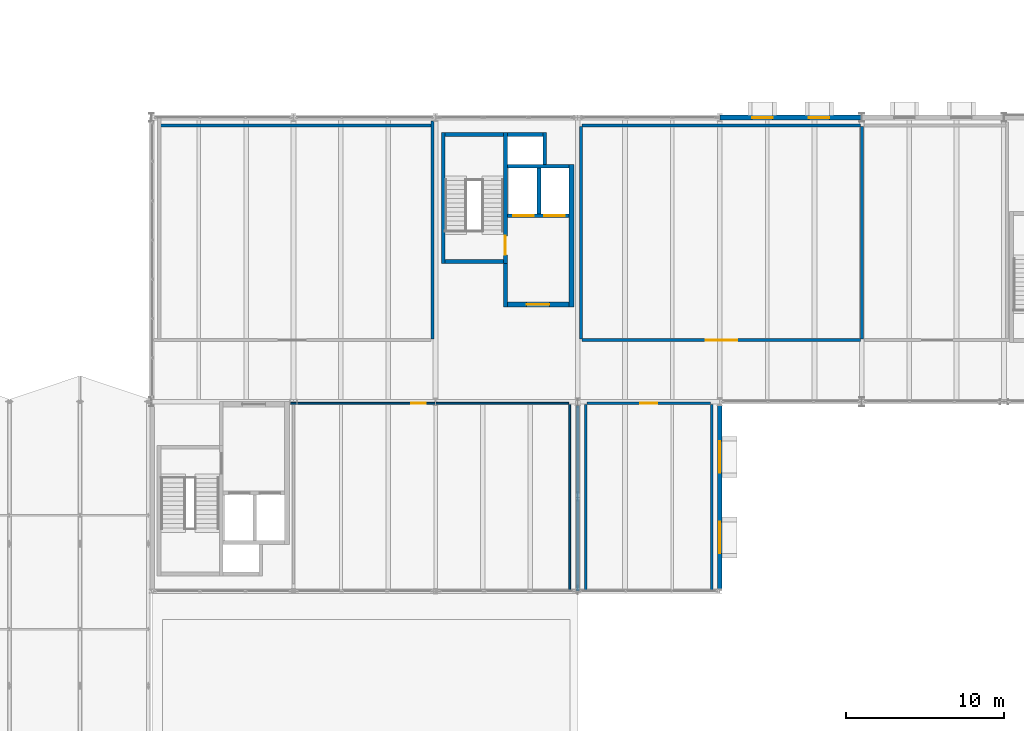
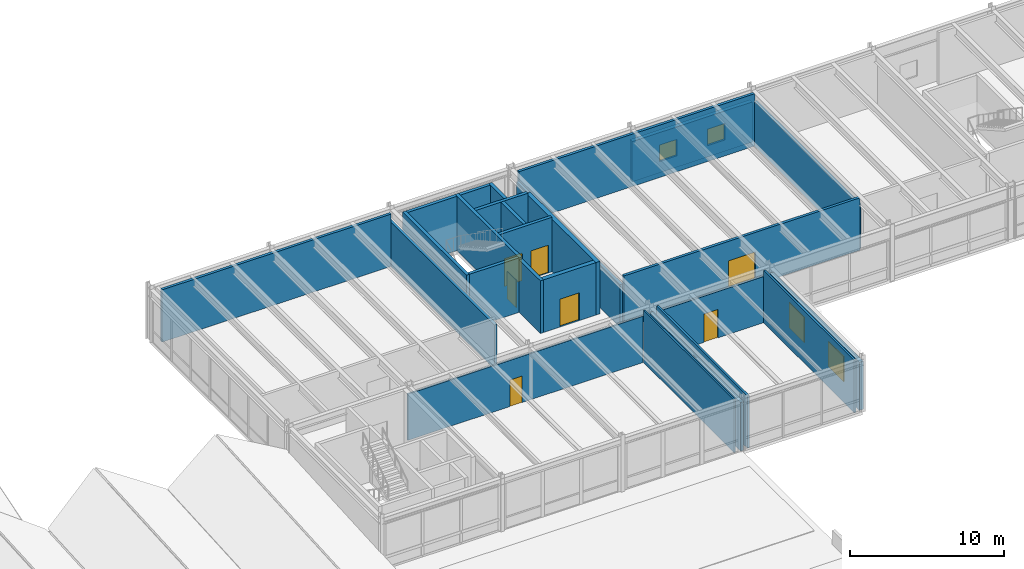
# One storey, part 136 of 142: 26 walls, 7 doors, 4 windows, 11 openings.
"""IFC4 building model written with IfcOpenShell, lengths in metres."""

from ifc_helpers import new_model, si_unit, direction, frame, frame_2d, origin, place, context, subcontext, project, spatial, rectangle, extrude, material, layer, layer_set, type_object, element, fill, save


model = new_model("IFC4")

# Units and contexts
model_context = context("Model", 3, precision=1e-05, world=origin(), true_north=direction((0.0, 1.0)))
body_context = subcontext(model_context, "Body", "Model", "MODEL_VIEW")
ifc_project = project(units=[si_unit("LENGTHUNIT", "METRE"), si_unit("AREAUNIT", "SQUARE_METRE"), si_unit("VOLUMEUNIT", "CUBIC_METRE"), si_unit("PLANEANGLEUNIT", "RADIAN"), si_unit("MASSUNIT", "GRAM", prefix="KILO")], contexts=[model_context])

# Site, building, storey
site_placement = place(None, origin())
site = spatial("IfcSite", under=ifc_project, at=site_placement, CompositionType="ELEMENT")
building_placement = place(site_placement, origin())
building = spatial("IfcBuilding", under=site, at=building_placement, Name="Montelvaro Courts of Justice", CompositionType="ELEMENT")
storey_placement = place(building_placement, frame((0.0, 0.0, 14.39990234375)))
storey = spatial("IfcBuildingStorey", under=building, at=storey_placement, Name="L03", CompositionType="ELEMENT", Elevation=14.39990234375)

# Wall
ifc_material_1 = material(Name="Gypsum board on metal stud")
ifc_layer_1 = layer(ifc_material_1, 0.14990234375)
ifc_layer_set_1 = layer_set([ifc_layer_1], Name="Gypsum board on metal stud")
wall_type_1 = type_object("IfcWallType", Name="ChambersPartition_150", PredefinedType="PARTITIONING", material=ifc_layer_set_1)
wall_1_placement = place(storey_placement, frame((126.5, 66.074951171875, 0.0), z_axis=(0.0, 0.0, 1.0), x_axis=(0.0, 1.0, 0.0)))
element("IfcWall", 1, at=wall_1_placement, inside=storey, type_object=wall_type_1, Name="Interior Partition IW-04 (L03)", PredefinedType="PARTITIONING", context=body_context, shape_type="SweptSolid", body=[
    extrude(rectangle(XDim=11.7451171875, YDim=0.14990234375, at=frame_2d((5.87255859375, 0.0))), origin(), (0.0, 0.0, 1.0), 4.14013671875),
])

# Wall, opening, door
wall_2_placement = place(storey_placement, frame((126.580078125, 77.89990234375, 0.0), z_axis=(0.0, 0.0, 1.0), x_axis=(1.0, 0.0, 0.0)))
wall_2 = element("IfcWall", 2, at=wall_2_placement, inside=storey, type_object=wall_type_1, Name="Interior Partition IW-04 (L03)", PredefinedType="PARTITIONING", context=body_context, shape_type="SweptSolid", body=[
    extrude(rectangle(XDim=7.83984375, YDim=0.14990234375, at=frame_2d((3.919921875, 0.0))), origin(), (0.0, 0.0, 1.0), 3.655029296875),
])
opening_1_placement = place(wall_2_placement, frame((3.39501953125, 0.0, 0.0)))
opening_1 = element("IfcOpeningElement", 3, at=opening_1_placement, cuts=wall_2, Name="Opening D-L03-113", PredefinedType="OPENING", context=body_context, shape_type="SweptSolid", body=[
    extrude(rectangle(XDim=1.050048828125, YDim=2.25, at=frame_2d((0.52490234375, 1.125))), frame((0.0, 0.08984375, 0.0), z_axis=(0.0, -1.0, 0.0), x_axis=(1.0, 0.0, 0.0)), (0.0, 0.0, 1.0), 0.1796875),
])
ifc_material_2 = material(Name="Acoustic oak timber veneer", Category="wood")
door_type_1 = type_object("IfcDoorType", Name="ChamberDoor_105x225", OperationType="NOTDEFINED", PredefinedType="DOOR", material=ifc_material_2)
door_1_placement = place(opening_1_placement, frame((1.050048828125, 0.0, 0.0), z_axis=(0.0, 0.0, 1.0), x_axis=(-1.0, 0.0, 0.0)))
door_1 = element("IfcDoor", 4, at=door_1_placement, inside=storey, type_object=door_type_1, Name="Interior Door D-L03-113 (Juvenile Guardian Consultation Suite L03)", OperationType="SINGLE_SWING_LEFT", OverallHeight=2.25, OverallWidth=1.050048828125, PredefinedType="DOOR", context=body_context, shape_type="SweptSolid", body=[
    extrude(rectangle(XDim=1.050048828125, YDim=2.25, at=frame_2d((0.52490234375, 1.125))), frame((0.0, 0.02490234375, 0.0), z_axis=(0.0, -1.0, 0.0), x_axis=(1.0, 0.0, 0.0)), (0.0, 0.0, 1.0), 0.050048828125),
])
fill(opening_1, door_1)

# Wall
wall_3_placement = place(storey_placement, frame((134.5, 77.820068359375, 0.0), z_axis=(0.0, 0.0, 1.0), x_axis=(0.0, -1.0, 0.0)))
element("IfcWall", 5, at=wall_3_placement, inside=storey, type_object=wall_type_1, Name="Interior Partition IW-04 (L03)", PredefinedType="PARTITIONING", context=body_context, shape_type="SweptSolid", body=[
    extrude(rectangle(XDim=11.7451171875, YDim=0.14990234375, at=frame_2d((5.87255859375, 0.0))), origin(), (0.0, 0.0, 1.0), 4.14013671875),
])

# Wall, opening, door
ifc_material_3 = material(Name="Concrete C40/50", Category="concrete")
ifc_layer_2 = layer(ifc_material_3, 0.320068359375)
ifc_layer_set_2 = layer_set([ifc_layer_2], Name="Concrete C40/50")
wall_type_2 = type_object("IfcWallType", Name="CoreWall_320", PredefinedType="SHEAR", material=ifc_layer_set_2)
wall_4_placement = place(storey_placement, frame((121.5400390625, 84.159912109375, 0.0), z_axis=(0.0, 0.0, 1.0), x_axis=(1.0, 0.0, 0.0)))
wall_4 = element("IfcWall", 6, at=wall_4_placement, inside=storey, type_object=wall_type_2, Name="Core Shear Wall CW-02 K3-S (L03)", PredefinedType="SHEAR", context=body_context, shape_type="SweptSolid", body=[
    extrude(rectangle(XDim=3.89990234375, YDim=0.320068359375, at=frame_2d((1.949951171875, 0.0))), origin(), (0.0, 0.0, 1.0), 4.16015625),
])
opening_2_placement = place(wall_4_placement, frame((1.22509765625, 0.0, 0.0)))
opening_2 = element("IfcOpeningElement", 7, at=opening_2_placement, cuts=wall_4, Name="Opening DL-L03-K3", PredefinedType="OPENING", context=body_context, shape_type="SweptSolid", body=[
    extrude(rectangle(XDim=1.449951171875, YDim=2.199951171875, at=frame_2d((0.72509765625, 1.10009765625))), frame((0.0, 0.1748046875, 0.0), z_axis=(0.0, -1.0, 0.0), x_axis=(1.0, 0.0, 0.0)), (0.0, 0.0, 1.0), 0.349853515625),
])
ifc_material_4 = material(Name="Galvanised steel S355 security door", Category="steel")
door_type_2 = type_object("IfcDoorType", Name="LobbyFireDoor_145x220", OperationType="DOUBLE_DOOR_SINGLE_SWING", PredefinedType="DOOR", material=ifc_material_4)
door_2_placement = place(opening_2_placement, origin())
door_2 = element("IfcDoor", 8, at=door_2_placement, inside=storey, type_object=door_type_2, Name="Core Lobby Fire Door DL-L03-K3", OperationType="DOUBLE_DOOR_SINGLE_SWING", OverallHeight=2.199951171875, OverallWidth=1.449951171875, PredefinedType="DOOR", context=body_context, shape_type="SweptSolid", body=[
    extrude(rectangle(XDim=1.449951171875, YDim=2.199951171875, at=frame_2d((0.72509765625, 1.10009765625))), frame((0.0, 0.02490234375, 0.0), z_axis=(0.0, -1.0, 0.0), x_axis=(1.0, 0.0, 0.0)), (0.0, 0.0, 1.0), 0.050048828125),
])
fill(opening_2, door_2)

# Walls
wall_5_placement = place(storey_placement, frame((125.60009765625, 84.0, 0.0), z_axis=(0.0, 0.0, 1.0), x_axis=(0.0, 1.0, 0.0)))
element("IfcWall", 9, at=wall_5_placement, inside=storey, type_object=wall_type_2, Name="Core Shear Wall CW-02 K3-E (L03)", PredefinedType="SHEAR", context=body_context, shape_type="SweptSolid", body=[
    extrude(rectangle(XDim=9.0400390625, YDim=0.320068359375, at=frame_2d((4.52001953125, 0.0))), origin(), (0.0, 0.0, 1.0), 4.16015625),
])
ifc_material_5 = material(Name="Gypsum acoustic double stud with mineral wool")
ifc_layer_3 = layer(ifc_material_5, 0.199951171875)
ifc_layer_set_3 = layer_set([ifc_layer_3], Name="Gypsum acoustic double stud with mineral wool")
wall_type_3 = type_object("IfcWallType", Name="CourtAcousticWall_200", PredefinedType="PARTITIONING", material=ifc_layer_set_3)
wall_6_placement = place(storey_placement, frame((99.580078125, 95.5, 0.0), z_axis=(0.0, 0.0, 1.0), x_axis=(1.0, 0.0, 0.0)))
element("IfcWall", 10, at=wall_6_placement, inside=storey, type_object=wall_type_3, Name="Interior Partition IW-01 (L03)", PredefinedType="PARTITIONING", context=body_context, shape_type="SweptSolid", body=[
    extrude(rectangle(XDim=17.139892578125, YDim=0.199951171875, at=frame_2d((8.56982421875, 0.0))), origin(), (0.0, 0.0, 1.0), 4.14013671875),
])
wall_7_placement = place(storey_placement, frame((116.800048828125, 95.777099609375, 0.0), z_axis=(0.0, 0.0, 1.0), x_axis=(0.0, -1.0, 0.0)))
element("IfcWall", 11, at=wall_7_placement, inside=storey, type_object=wall_type_3, Name="Interior Partition IW-01 (L03)", PredefinedType="PARTITIONING", context=body_context, shape_type="SweptSolid", body=[
    extrude(rectangle(XDim=13.797119140625, YDim=0.199951171875, at=frame_2d((6.8984375, 0.0))), origin(), (0.0, 0.0, 1.0), 3.505126953125),
])
wall_8_placement = place(storey_placement, frame((126.199951171875, 81.97998046875, 0.0), z_axis=(0.0, 0.0, 1.0), x_axis=(0.0, 1.0, 0.0)))
element("IfcWall", 12, at=wall_8_placement, inside=storey, type_object=wall_type_3, Name="Interior Partition IW-01 (L03)", PredefinedType="PARTITIONING", context=body_context, shape_type="SweptSolid", body=[
    extrude(rectangle(XDim=13.43994140625, YDim=0.199951171875, at=frame_2d((6.719970703125, 0.0))), origin(), (0.0, 0.0, 1.0), 3.405029296875),
])
wall_9_placement = place(storey_placement, frame((126.280029296875, 95.5, 0.0), z_axis=(0.0, 0.0, 1.0), x_axis=(1.0, 0.0, 0.0)))
element("IfcWall", 13, at=wall_9_placement, inside=storey, type_object=wall_type_3, Name="Interior Partition IW-01 (L03)", PredefinedType="PARTITIONING", context=body_context, shape_type="SweptSolid", body=[
    extrude(rectangle(XDim=17.639892578125, YDim=0.199951171875, at=frame_2d((8.81982421875, 0.0))), origin(), (0.0, 0.0, 1.0), 4.14013671875),
])
wall_10_placement = place(storey_placement, frame((144.0, 95.419921875, 0.0), z_axis=(0.0, 0.0, 1.0), x_axis=(0.0, -1.0, 0.0)))
element("IfcWall", 14, at=wall_10_placement, inside=storey, type_object=wall_type_3, Name="Interior Partition IW-01 (L03)", PredefinedType="PARTITIONING", context=body_context, shape_type="SweptSolid", body=[
    extrude(rectangle(XDim=13.43994140625, YDim=0.199951171875, at=frame_2d((6.719970703125, 0.0))), origin(), (0.0, 0.0, 1.0), 3.545166015625),
])

# Wall, opening, door
wall_11_placement = place(storey_placement, frame((143.919921875, 81.89990234375, 0.0), z_axis=(0.0, 0.0, 1.0), x_axis=(-1.0, 0.0, 0.0)))
wall_11 = element("IfcWall", 15, at=wall_11_placement, inside=storey, type_object=wall_type_3, Name="Interior Partition IW-01 (L03)", PredefinedType="PARTITIONING", context=body_context, shape_type="SweptSolid", body=[
    extrude(rectangle(XDim=17.639892578125, YDim=0.199951171875, at=frame_2d((8.81982421875, 0.0))), origin(), (0.0, 0.0, 1.0), 4.14013671875),
])
opening_3_placement = place(wall_11_placement, frame((7.820068359375, 0.0, 0.0)))
opening_3 = element("IfcOpeningElement", 16, at=opening_3_placement, cuts=wall_11, Name="Opening D-L03-110", PredefinedType="OPENING", context=body_context, shape_type="SweptSolid", body=[
    extrude(rectangle(XDim=2.0, YDim=2.60009765625, at=frame_2d((1.0, 1.300048828125))), frame((0.0, 0.11474609375, 0.0), z_axis=(0.0, -1.0, 0.0), x_axis=(1.0, 0.0, 0.0)), (0.0, 0.0, 1.0), 0.229736328125),
])
door_type_3 = type_object("IfcDoorType", Name="CourtDoor_200x260", OperationType="DOUBLE_DOOR_SINGLE_SWING", PredefinedType="DOOR", material=ifc_material_2)
door_3_placement = place(opening_3_placement, origin())
door_3 = element("IfcDoor", 17, at=door_3_placement, inside=storey, type_object=door_type_3, Name="Interior Door D-L03-110 (Juvenile Courtroom 13)", OperationType="DOUBLE_DOOR_SINGLE_SWING", OverallHeight=2.60009765625, OverallWidth=2.0, PredefinedType="DOOR", context=body_context, shape_type="SweptSolid", body=[
    extrude(rectangle(XDim=2.0, YDim=2.60009765625, at=frame_2d((1.0, 1.300048828125))), frame((0.0, 0.02490234375, 0.0), z_axis=(0.0, -1.0, 0.0), x_axis=(1.0, 0.0, 0.0)), (0.0, 0.0, 1.0), 0.050048828125),
])
fill(opening_3, door_3)

# Wall, openings, windows
ifc_material_6 = material(Name="White mineral precast concrete C45/55", Category="concrete")
ifc_layer_4 = layer(ifc_material_6, 0.300048828125)
ifc_layer_set_4 = layer_set([ifc_layer_4], Name="White mineral precast concrete C45/55")
wall_type_4 = type_object("IfcWallType", Name="ExtWall_GFRC_300", PredefinedType="SOLIDWALL", material=ifc_layer_set_4)
wall_12_placement = place(storey_placement, frame((135.0, 66.137939453125, 0.0), z_axis=(0.0, 0.0, 1.0), x_axis=(0.0, 1.0, 0.0)))
wall_12 = element("IfcWall", 18, at=wall_12_placement, inside=storey, type_object=wall_type_4, Name="Exterior Facade Wall EW-02 (L03)", PredefinedType="SOLIDWALL", context=body_context, shape_type="SweptSolid", body=[
    extrude(rectangle(XDim=11.614013671875, YDim=0.300048828125, at=frame_2d((5.80712890625, 0.0))), origin(), (0.0, 0.0, 1.0), 3.80517578125),
])
opening_4_placement = place(wall_12_placement, frame((2.251953125, 0.0, 0.85009765625)))
opening_4 = element("IfcOpeningElement", 19, at=opening_4_placement, cuts=wall_12, Name="Opening WE-11", PredefinedType="OPENING", context=body_context, shape_type="SweptSolid", body=[
    extrude(rectangle(XDim=2.0, YDim=2.0, at=frame_2d((1.0, 1.0))), frame((0.0, 0.1650390625, 0.0), z_axis=(0.0, -1.0, 0.0), x_axis=(1.0, 0.0, 0.0)), (0.0, 0.0, 1.0), 0.329833984375),
])
opening_5_placement = place(wall_12_placement, frame((7.362060546875, 0.0, 0.85009765625)))
opening_5 = element("IfcOpeningElement", 20, at=opening_5_placement, cuts=wall_12, Name="Opening WE-11", PredefinedType="OPENING", context=body_context, shape_type="SweptSolid", body=[
    extrude(rectangle(XDim=2.0, YDim=2.0, at=frame_2d((1.0, 1.0))), frame((0.0, 0.1650390625, 0.0), z_axis=(0.0, -1.0, 0.0), x_axis=(1.0, 0.0, 0.0)), (0.0, 0.0, 1.0), 0.329833984375),
])
ifc_material_7 = material(Name="Low-E solar control double glazing", Category="glass")
window_type_1 = type_object("IfcWindowType", Name="Win_Sq_200x200", PartitioningType="SINGLE_PANEL", PredefinedType="WINDOW", material=ifc_material_7)
window_1_placement = place(opening_4_placement, origin())
window_1 = element("IfcWindow", 21, at=window_1_placement, inside=storey, type_object=window_type_1, Name="Window W-L03-137", OverallHeight=2.0, OverallWidth=2.0, PartitioningType="SINGLE_PANEL", PredefinedType="WINDOW", context=body_context, shape_type="SweptSolid", body=[
    extrude(rectangle(XDim=2.0, YDim=2.0, at=frame_2d((1.0, 1.0))), frame((0.0, 0.030029296875, 0.0), z_axis=(0.0, -1.0, 0.0), x_axis=(1.0, 0.0, 0.0)), (0.0, 0.0, 1.0), 0.06005859375),
])
fill(opening_4, window_1)
window_2_placement = place(opening_5_placement, origin())
window_2 = element("IfcWindow", 22, at=window_2_placement, inside=storey, type_object=window_type_1, Name="Window W-L03-138", OverallHeight=2.0, OverallWidth=2.0, PartitioningType="SINGLE_PANEL", PredefinedType="WINDOW", context=body_context, shape_type="SweptSolid", body=[
    extrude(rectangle(XDim=2.0, YDim=2.0, at=frame_2d((1.0, 1.0))), frame((0.0, 0.030029296875, 0.0), z_axis=(0.0, -1.0, 0.0), x_axis=(1.0, 0.0, 0.0)), (0.0, 0.0, 1.0), 0.06005859375),
])
fill(opening_5, window_2)

wall_13_placement = place(storey_placement, frame((143.991943359375, 96.0, 0.0), z_axis=(0.0, 0.0, 1.0), x_axis=(-1.0, 0.0, 0.0)))
wall_13 = element("IfcWall", 23, at=wall_13_placement, inside=storey, type_object=wall_type_4, Name="Exterior Facade Wall EW-02 (L03)", PredefinedType="SOLIDWALL", context=body_context, shape_type="SweptSolid", body=[
    extrude(rectangle(XDim=8.98388671875, YDim=0.300048828125, at=frame_2d((4.491943359375, 0.0))), origin(), (0.0, 0.0, 1.0), 3.18701171875),
])
opening_6_placement = place(wall_13_placement, frame((2.044921875, 0.0, 0.89990234375)))
opening_6 = element("IfcOpeningElement", 24, at=opening_6_placement, cuts=wall_13, Name="Opening WE-18", PredefinedType="OPENING", context=body_context, shape_type="SweptSolid", body=[
    extrude(rectangle(XDim=1.300048828125, YDim=1.300048828125, at=frame_2d((0.64990234375, 0.64990234375))), frame((0.0, 0.1650390625, 0.0), z_axis=(0.0, -1.0, 0.0), x_axis=(1.0, 0.0, 0.0)), (0.0, 0.0, 1.0), 0.329833984375),
])
opening_7_placement = place(wall_13_placement, frame((5.638916015625, 0.0, 0.89990234375)))
opening_7 = element("IfcOpeningElement", 25, at=opening_7_placement, cuts=wall_13, Name="Opening WE-18", PredefinedType="OPENING", context=body_context, shape_type="SweptSolid", body=[
    extrude(rectangle(XDim=1.300048828125, YDim=1.300048828125, at=frame_2d((0.64990234375, 0.64990234375))), frame((0.0, 0.1650390625, 0.0), z_axis=(0.0, -1.0, 0.0), x_axis=(1.0, 0.0, 0.0)), (0.0, 0.0, 1.0), 0.329833984375),
])
window_type_2 = type_object("IfcWindowType", Name="Win_Sq_130x130", PartitioningType="SINGLE_PANEL", PredefinedType="WINDOW", material=ifc_material_7)
window_3_placement = place(opening_6_placement, origin())
window_3 = element("IfcWindow", 26, at=window_3_placement, inside=storey, type_object=window_type_2, Name="Window W-L03-145", OverallHeight=1.300048828125, OverallWidth=1.300048828125, PartitioningType="SINGLE_PANEL", PredefinedType="WINDOW", context=body_context, shape_type="SweptSolid", body=[
    extrude(rectangle(XDim=1.300048828125, YDim=1.300048828125, at=frame_2d((0.64990234375, 0.64990234375))), frame((0.0, 0.030029296875, 0.0), z_axis=(0.0, -1.0, 0.0), x_axis=(1.0, 0.0, 0.0)), (0.0, 0.0, 1.0), 0.06005859375),
])
fill(opening_6, window_3)
window_4_placement = place(opening_7_placement, origin())
window_4 = element("IfcWindow", 27, at=window_4_placement, inside=storey, type_object=window_type_2, Name="Window W-L03-146", OverallHeight=1.300048828125, OverallWidth=1.300048828125, PartitioningType="SINGLE_PANEL", PredefinedType="WINDOW", context=body_context, shape_type="SweptSolid", body=[
    extrude(rectangle(XDim=1.300048828125, YDim=1.300048828125, at=frame_2d((0.64990234375, 0.64990234375))), frame((0.0, 0.030029296875, 0.0), z_axis=(0.0, -1.0, 0.0), x_axis=(1.0, 0.0, 0.0)), (0.0, 0.0, 1.0), 0.06005859375),
])
fill(opening_7, window_4)

# Wall, opening, door
ifc_layer_5 = layer(ifc_material_1, 0.1201171875)
ifc_layer_set_5 = layer_set([ifc_layer_5], Name="Gypsum board on metal stud")
wall_type_5 = type_object("IfcWallType", Name="OfficePartition_120", PredefinedType="PARTITIONING", material=ifc_layer_set_5)
wall_14_placement = place(storey_placement, frame((107.822998046875, 77.89990234375, 0.0), z_axis=(0.0, 0.0, 1.0), x_axis=(1.0, 0.0, 0.0)))
wall_14 = element("IfcWall", 28, at=wall_14_placement, inside=storey, type_object=wall_type_5, Name="Interior Partition IW-05 (L03)", PredefinedType="PARTITIONING", context=body_context, shape_type="SweptSolid", body=[
    extrude(rectangle(XDim=17.596923828125, YDim=0.1201171875, at=frame_2d((8.79833984375, 0.0))), origin(), (0.0, 0.0, 1.0), 3.655029296875),
])
opening_8_placement = place(wall_14_placement, frame((7.64501953125, 0.0, 0.0)))
opening_8 = element("IfcOpeningElement", 29, at=opening_8_placement, cuts=wall_14, Name="Opening D-L03-112", PredefinedType="OPENING", context=body_context, shape_type="SweptSolid", body=[
    extrude(rectangle(XDim=0.89990234375, YDim=2.10009765625, at=frame_2d((0.449951171875, 1.050048828125))), frame((0.0, 0.074951171875, 0.0), z_axis=(0.0, -1.0, 0.0), x_axis=(1.0, 0.0, 0.0)), (0.0, 0.0, 1.0), 0.14990234375),
])
door_type_4 = type_object("IfcDoorType", Name="OfficeDoor_090x210", OperationType="NOTDEFINED", PredefinedType="DOOR", material=ifc_material_2)
door_4_placement = place(opening_8_placement, origin())
door_4 = element("IfcDoor", 30, at=door_4_placement, inside=storey, type_object=door_type_4, Name="Interior Door D-L03-112 (Family Waiting and Child Suite L03)", OperationType="SINGLE_SWING_RIGHT", OverallHeight=2.10009765625, OverallWidth=0.89990234375, PredefinedType="DOOR", context=body_context, shape_type="SweptSolid", body=[
    extrude(rectangle(XDim=0.89990234375, YDim=2.10009765625, at=frame_2d((0.449951171875, 1.050048828125))), frame((0.0, 0.02490234375, 0.0), z_axis=(0.0, -1.0, 0.0), x_axis=(1.0, 0.0, 0.0)), (0.0, 0.0, 1.0), 0.050048828125),
])
fill(opening_8, door_4)

# Walls
wall_15_placement = place(storey_placement, frame((125.5, 77.820068359375, 0.0), z_axis=(0.0, 0.0, 1.0), x_axis=(0.0, -1.0, 0.0)))
element("IfcWall", 31, at=wall_15_placement, inside=storey, type_object=wall_type_5, Name="Interior Partition IW-05 (L03)", PredefinedType="PARTITIONING", context=body_context, shape_type="SweptSolid", body=[
    extrude(rectangle(XDim=11.7451171875, YDim=0.1201171875, at=frame_2d((5.87255859375, 0.0))), origin(), (0.0, 0.0, 1.0), 4.14013671875),
])
ifc_material_8 = material(Name="Concrete C35/45", Category="concrete")
ifc_layer_6 = layer(ifc_material_8, 0.239990234375)
ifc_layer_set_6 = layer_set([ifc_layer_6], Name="Concrete C35/45")
wall_type_6 = type_object("IfcWallType", Name="ShaftWall_240", PredefinedType="SHEAR", material=ifc_layer_set_6)
wall_16_placement = place(storey_placement, frame((117.47998046875, 86.760009765625, 0.0), z_axis=(0.0, 0.0, 1.0), x_axis=(0.0, 1.0, 0.0)))
element("IfcWall", 32, at=wall_16_placement, inside=storey, type_object=wall_type_6, Name="Protected Stair Structural Wall ST-K3-W (L03)", PredefinedType="SHEAR", context=body_context, shape_type="SweptSolid", body=[
    extrude(rectangle(XDim=8.280029296875, YDim=0.239990234375, at=frame_2d((4.14013671875, 0.0))), origin(), (0.0, 0.0, 1.0), 4.31005859375),
])

# Wall, opening, door
wall_17_placement = place(storey_placement, frame((121.419921875, 86.760009765625, 0.0), z_axis=(0.0, 0.0, 1.0), x_axis=(0.0, 1.0, 0.0)))
wall_17 = element("IfcWall", 33, at=wall_17_placement, inside=storey, type_object=wall_type_6, Name="Protected Stair Structural Wall ST-K3-E (L03)", PredefinedType="SHEAR", context=body_context, shape_type="SweptSolid", body=[
    extrude(rectangle(XDim=8.280029296875, YDim=0.239990234375, at=frame_2d((4.14013671875, 0.0))), origin(), (0.0, 0.0, 1.0), 4.31005859375),
])
opening_9_placement = place(wall_17_placement, frame((0.5400390625, 0.0, 0.0)))
opening_9 = element("IfcOpeningElement", 34, at=opening_9_placement, cuts=wall_17, Name="Opening DS-L03-K3", PredefinedType="OPENING", context=body_context, shape_type="SweptSolid", body=[
    extrude(rectangle(XDim=1.199951171875, YDim=2.14990234375, at=frame_2d((0.60009765625, 1.074951171875))), frame((0.0, 0.134765625, 0.0), z_axis=(0.0, -1.0, 0.0), x_axis=(1.0, 0.0, 0.0)), (0.0, 0.0, 1.0), 0.269775390625),
])
door_type_5 = type_object("IfcDoorType", Name="StairFireDoor_120x215", OperationType="NOTDEFINED", PredefinedType="DOOR", material=ifc_material_4)
door_5_placement = place(opening_9_placement, frame((1.199951171875, 0.0, 0.0), z_axis=(0.0, 0.0, 1.0), x_axis=(-1.0, 0.0, 0.0)))
door_5 = element("IfcDoor", 35, at=door_5_placement, inside=storey, type_object=door_type_5, Name="Protected Stair Fire Door DS-L03-K3", OperationType="SINGLE_SWING_LEFT", OverallHeight=2.14990234375, OverallWidth=1.199951171875, PredefinedType="DOOR", context=body_context, shape_type="SweptSolid", body=[
    extrude(rectangle(XDim=1.199951171875, YDim=2.14990234375, at=frame_2d((0.60009765625, 1.074951171875))), frame((0.0, 0.02490234375, 0.0), z_axis=(0.0, -1.0, 0.0), x_axis=(1.0, 0.0, 0.0)), (0.0, 0.0, 1.0), 0.050048828125),
])
fill(opening_9, door_5)

# Walls
for number, where, z_axis, x_axis, name in (
    (36, (117.60009765625, 86.8798828125, 0.0), (0.0, 0.0, 1.0), (1.0, 0.0, 0.0), "Protected Stair Structural Wall ST-K3-S (L03)"),
    (37, (117.60009765625, 94.919921875, 0.0), (0.0, 0.0, 1.0), (1.0, 0.0, 0.0), "Protected Stair Structural Wall ST-K3-N (L03)"),
):
    element("IfcWall", number, at=place(storey_placement, frame(where, z_axis=z_axis, x_axis=x_axis)), inside=storey, type_object=wall_type_6, Name=name, PredefinedType="SHEAR", context=body_context, shape_type="SweptSolid", body=[
        extrude(rectangle(XDim=3.699951171875, YDim=0.239990234375, at=frame_2d((1.85009765625, 0.0))), origin(), (0.0, 0.0, 1.0), 4.31005859375),
    ])
wall_18_placement = place(storey_placement, frame((121.419921875, 84.0, 0.0), z_axis=(0.0, 0.0, 1.0), x_axis=(0.0, 1.0, 0.0)))
element("IfcWall", 38, at=wall_18_placement, inside=storey, type_object=wall_type_6, Name="Core Lobby Structural Wall K3-W (L03)", PredefinedType="SHEAR", context=body_context, shape_type="SweptSolid", body=[
    extrude(rectangle(XDim=2.760009765625, YDim=0.239990234375, at=frame_2d((1.3798828125, 0.0))), origin(), (0.0, 0.0, 1.0), 4.16015625),
])

# Wall, openings, doors
wall_19_placement = place(storey_placement, frame((121.5400390625, 89.780029296875, 0.0), z_axis=(0.0, 0.0, 1.0), x_axis=(1.0, 0.0, 0.0)))
wall_19 = element("IfcWall", 39, at=wall_19_placement, inside=storey, type_object=wall_type_6, Name="Lift Shaft Bank Wall K3 (L03)", PredefinedType="SHEAR", context=body_context, shape_type="SweptSolid", body=[
    extrude(rectangle(XDim=3.89990234375, YDim=0.239990234375, at=frame_2d((1.949951171875, 0.0))), origin(), (0.0, 0.0, 1.0), 4.31005859375),
])
opening_10_placement = place(wall_19_placement, frame((0.385009765625, 0.0, 0.0)))
opening_10 = element("IfcOpeningElement", 40, at=opening_10_placement, cuts=wall_19, Name="Opening LD-LC-01-L03", PredefinedType="OPENING", context=body_context, shape_type="SweptSolid", body=[
    extrude(rectangle(XDim=1.300048828125, YDim=2.199951171875, at=frame_2d((0.64990234375, 1.10009765625))), frame((0.0, 0.134765625, 0.0), z_axis=(0.0, -1.0, 0.0), x_axis=(1.0, 0.0, 0.0)), (0.0, 0.0, 1.0), 0.269775390625),
])
opening_11_placement = place(wall_19_placement, frame((2.3349609375, 0.0, 0.0)))
opening_11 = element("IfcOpeningElement", 41, at=opening_11_placement, cuts=wall_19, Name="Opening LD-LG-01-L03", PredefinedType="OPENING", context=body_context, shape_type="SweptSolid", body=[
    extrude(rectangle(XDim=1.300048828125, YDim=2.199951171875, at=frame_2d((0.64990234375, 1.10009765625))), frame((0.0, 0.134765625, 0.0), z_axis=(0.0, -1.0, 0.0), x_axis=(1.0, 0.0, 0.0)), (0.0, 0.0, 1.0), 0.269775390625),
])
door_type_6 = type_object("IfcDoorType", Name="LiftDoor_130x220", OperationType="DOUBLE_DOOR_SLIDING", PredefinedType="DOOR", material=ifc_material_4)
door_6_placement = place(opening_10_placement, origin())
door_6 = element("IfcDoor", 42, at=door_6_placement, inside=storey, type_object=door_type_6, Name="Lift Landing Sliding Door LD-LC-01-L03", OperationType="DOUBLE_DOOR_SLIDING", OverallHeight=2.199951171875, OverallWidth=1.300048828125, PredefinedType="DOOR", context=body_context, shape_type="SweptSolid", body=[
    extrude(rectangle(XDim=1.300048828125, YDim=2.199951171875, at=frame_2d((0.64990234375, 1.10009765625))), frame((0.0, 0.02490234375, 0.0), z_axis=(0.0, -1.0, 0.0), x_axis=(1.0, 0.0, 0.0)), (0.0, 0.0, 1.0), 0.050048828125),
])
fill(opening_10, door_6)
door_7_placement = place(opening_11_placement, origin())
door_7 = element("IfcDoor", 43, at=door_7_placement, inside=storey, type_object=door_type_6, Name="Lift Landing Sliding Door LD-LG-01-L03", OperationType="DOUBLE_DOOR_SLIDING", OverallHeight=2.199951171875, OverallWidth=1.300048828125, PredefinedType="DOOR", context=body_context, shape_type="SweptSolid", body=[
    extrude(rectangle(XDim=1.300048828125, YDim=2.199951171875, at=frame_2d((0.64990234375, 1.10009765625))), frame((0.0, 0.02490234375, 0.0), z_axis=(0.0, -1.0, 0.0), x_axis=(1.0, 0.0, 0.0)), (0.0, 0.0, 1.0), 0.050048828125),
])
fill(opening_11, door_7)

# Walls
wall_20_placement = place(storey_placement, frame((121.5400390625, 92.919921875, 0.0), z_axis=(0.0, 0.0, 1.0), x_axis=(1.0, 0.0, 0.0)))
element("IfcWall", 44, at=wall_20_placement, inside=storey, type_object=wall_type_6, Name="Lift Shaft Back Wall K3 (L03)", PredefinedType="SHEAR", context=body_context, shape_type="SweptSolid", body=[
    extrude(rectangle(XDim=3.89990234375, YDim=0.239990234375, at=frame_2d((1.949951171875, 0.0))), origin(), (0.0, 0.0, 1.0), 4.31005859375),
])
wall_21_placement = place(storey_placement, frame((123.550048828125, 89.89990234375, 0.0), z_axis=(0.0, 0.0, 1.0), x_axis=(0.0, 1.0, 0.0)))
element("IfcWall", 45, at=wall_21_placement, inside=storey, type_object=wall_type_6, Name="Lift Shaft Divider Wall K3-LFD1 (L03)", PredefinedType="SHEAR", context=body_context, shape_type="SweptSolid", body=[
    extrude(rectangle(XDim=2.900146484375, YDim=0.239990234375, at=frame_2d((1.4501953125, 0.0))), origin(), (0.0, 0.0, 1.0), 4.31005859375),
])
wall_22_placement = place(storey_placement, frame((123.919921875, 93.0400390625, 0.0), z_axis=(0.0, 0.0, 1.0), x_axis=(0.0, 1.0, 0.0)))
element("IfcWall", 46, at=wall_22_placement, inside=storey, type_object=wall_type_6, Name="Service Riser East Shaft Wall K3 (L03)", PredefinedType="SHEAR", context=body_context, shape_type="SweptSolid", body=[
    extrude(rectangle(XDim=2.0, YDim=0.239990234375, at=frame_2d((1.0, 0.0))), origin(), (0.0, 0.0, 1.0), 4.31005859375),
])
wall_23_placement = place(storey_placement, frame((121.5400390625, 94.919921875, 0.0), z_axis=(0.0, 0.0, 1.0), x_axis=(1.0, 0.0, 0.0)))
element("IfcWall", 47, at=wall_23_placement, inside=storey, type_object=wall_type_6, Name="Service Riser North Shaft Wall K3 (L03)", PredefinedType="SHEAR", context=body_context, shape_type="SweptSolid", body=[
    extrude(rectangle(XDim=2.260009765625, YDim=0.239990234375, at=frame_2d((1.1298828125, 0.0))), origin(), (0.0, 0.0, 1.0), 4.31005859375),
])
wall_24_placement = place(storey_placement, frame((126.0, 66.008056640625, 0.0), z_axis=(0.0, 0.0, 1.0), x_axis=(0.0, 1.0, 0.0)))
element("IfcWall", 48, at=wall_24_placement, inside=storey, type_object=wall_type_6, Name="Enclosed Braced Frame Structural Wall CBF3 (L03)", PredefinedType="SHEAR", context=body_context, shape_type="SweptSolid", body=[
    extrude(rectangle(XDim=11.743896484375, YDim=0.239990234375, at=frame_2d((5.8720703125, 0.0))), origin(), (0.0, 0.0, 1.0), 3.84521484375),
])

save(model, "model.ifc")
